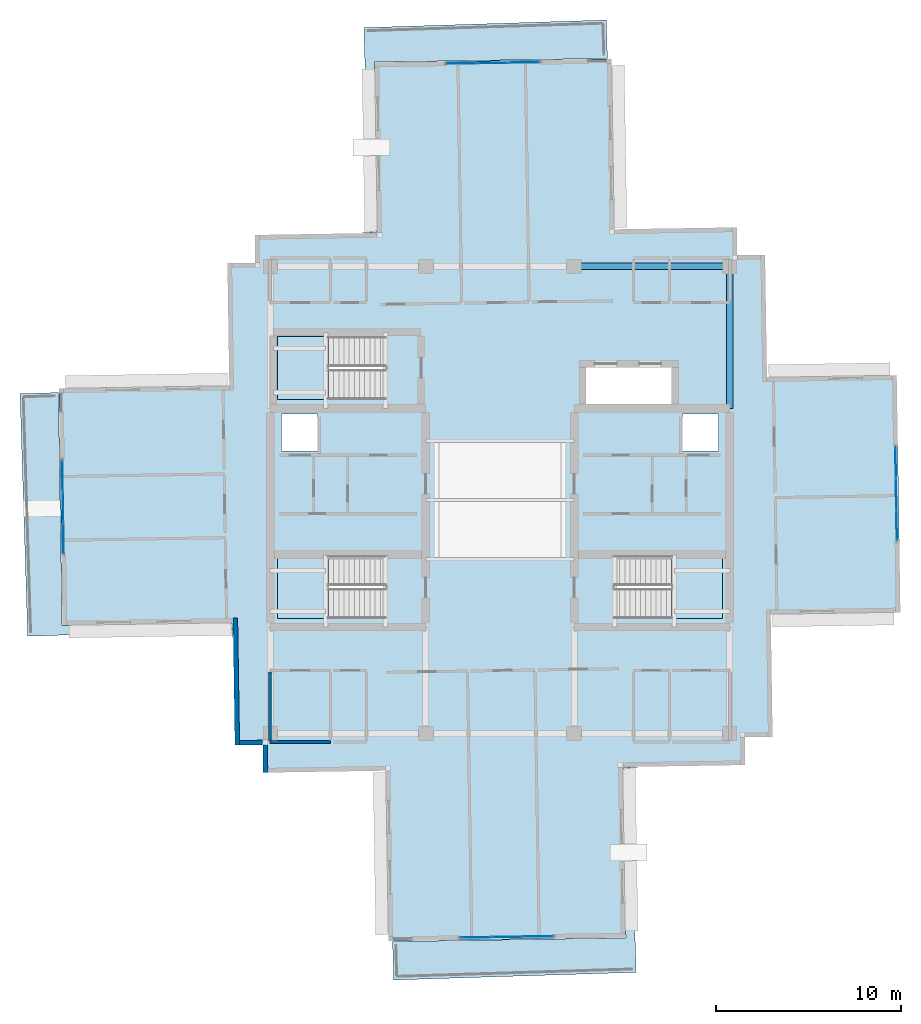
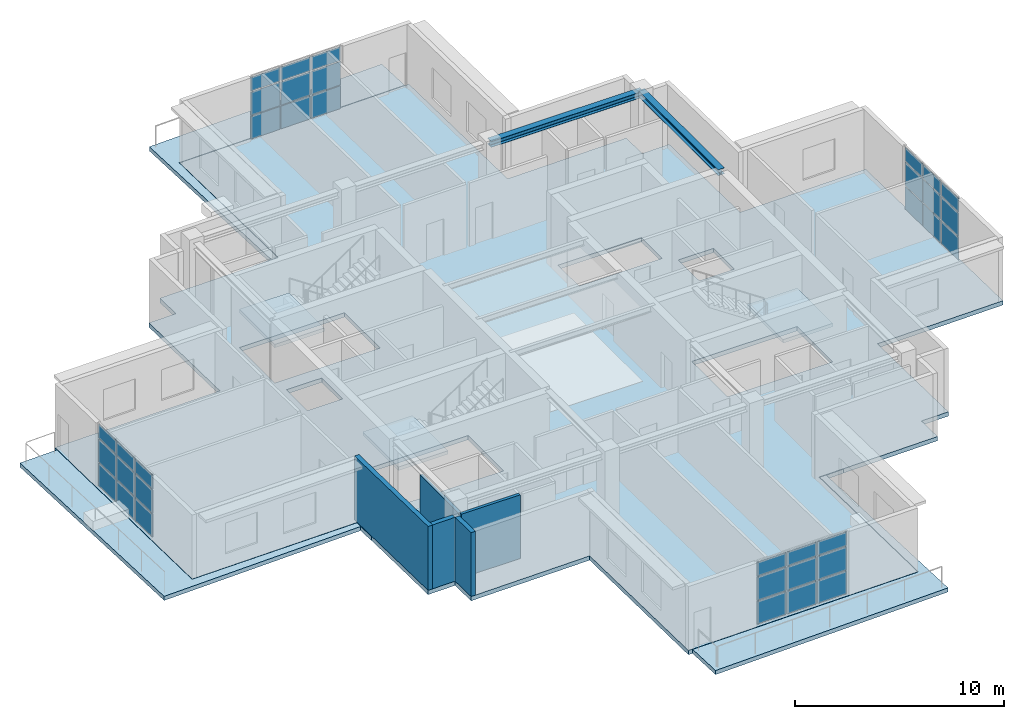
# One storey, part 9 of 18: 36 plates, 7 slabs, 5 walls, 2 beams, 7 elements without a shape of their own.
"""IFC4 building model written with IfcOpenShell, lengths in metres."""

from ifc_helpers import new_model, si_unit, direction, frame, frame_2d, origin, origin_2d, place, context, subcontext, project, spatial, polyline, rectangle, i_section, outline, extrude, material, layer, layer_set, material_profile, profile_set, type_object, element, aggregate, save


model = new_model("IFC4")

# Units and contexts
model_context = context("Model", 3, precision=1e-05, world=origin(), true_north=direction((0.0, 1.0)))
body_context = subcontext(model_context, "Body", "Model", "MODEL_VIEW")
ifc_project = project(units=[si_unit("LENGTHUNIT", "METRE"), si_unit("AREAUNIT", "SQUARE_METRE"), si_unit("VOLUMEUNIT", "CUBIC_METRE"), si_unit("PLANEANGLEUNIT", "RADIAN"), si_unit("MASSUNIT", "GRAM", prefix="KILO")], contexts=[model_context])

# Site, building, storey
site_placement = place(None, origin())
site = spatial("IfcSite", under=ifc_project, at=site_placement, CompositionType="ELEMENT")
building_placement = place(site_placement, origin())
building = spatial("IfcBuilding", under=site, at=building_placement, Name="Qingluan Cross Belvedere", CompositionType="ELEMENT")
storey_placement = place(building_placement, frame((0.0, 0.0, 303.89990234375)))
storey = spatial("IfcBuildingStorey", under=building, at=storey_placement, Name="L75", CompositionType="ELEMENT", Elevation=303.89990234375)

# Beams
ifc_material_1 = material(Name="Steel Q420GJB", Category="steel")
ifc_material_profile = material_profile(ifc_material_1, i_section(OverallWidth=0.35009765625, OverallDepth=0.35009765625, WebThickness=0.011962890625, FlangeThickness=0.01904296875, FilletRadius=0.02001953125, at=origin_2d()), Name="HW350x350x12x19")
ifc_profile_set = profile_set([ifc_material_profile], Name="Steel Q420GJB")
beam_type = type_object("IfcBeamType", Name="Steel_Girder_HW350x350x12x19", PredefinedType="USERDEFINED", material=ifc_profile_set)
beam_1_placement = place(storey_placement, frame((4.0, 12.60009765625, 4.0751953125), z_axis=(1.0, 0.0, 0.0), x_axis=(0.0, 1.0, 0.0)))
element("IfcBeam", 1, at=beam_1_placement, inside=storey, type_object=beam_type, Name="Hub girder L75-HG-N3", ObjectType="GIRDER", PredefinedType="USERDEFINED", context=body_context, shape_type="SweptSolid", body=[
    extrude(i_section(OverallWidth=0.35009765625, OverallDepth=0.35009765625, WebThickness=0.011962890625, FlangeThickness=0.01904296875, FilletRadius=0.02001953125, at=origin_2d()), origin(), (0.0, 0.0, 1.0), 8.39990234375),
])
beam_2_placement = place(storey_placement, frame((12.39990234375, 4.949951171875, 4.0751953125), z_axis=(0.0, 1.0, 0.0), x_axis=(-1.0, 0.0, 0.0)))
element("IfcBeam", 2, at=beam_2_placement, inside=storey, type_object=beam_type, Name="Hub girder L75-HG-E2", ObjectType="GIRDER", PredefinedType="USERDEFINED", context=body_context, shape_type="SweptSolid", body=[
    extrude(i_section(OverallWidth=0.35009765625, OverallDepth=0.35009765625, WebThickness=0.011962890625, FlangeThickness=0.01904296875, FilletRadius=0.02001953125, at=origin_2d()), origin(), (0.0, 0.0, 1.0), 7.650146484375),
])

# Curtain wall, plates
ifc_material_2 = material(Name="Thermally broken aluminium and Low-E glass", Category="aluminium")
ifc_layer_1 = layer(ifc_material_2, 0.199951171875, Name="ObservationCW_SkyRestaurant")
ifc_layer_set_1 = layer_set([ifc_layer_1], Name="Thermally broken aluminium and Low-E glass")
curtain_wall_type = type_object("IfcCurtainWallType", Name="ObservationCW_SkyRestaurant", PredefinedType="USERDEFINED", material=ifc_layer_set_1)
curtain_wall_1_placement = place(storey_placement, origin())
curtain_wall_1 = element("IfcCurtainWall", 3, at=curtain_wall_1_placement, inside=storey, type_object=curtain_wall_type, Name="ObservationCW_SkyRestaurant run env:cw:L75:E", ObjectType="OBSERVATION GLAZING WALL", PredefinedType="USERDEFINED")
ifc_material_3 = material(Name="Triple-silver Low-E insulated glass", Category="glass")
ifc_layer_2 = layer(ifc_material_3, 0.035888671875, Name="CWVisionPanel_36")
ifc_layer_set_2 = layer_set([ifc_layer_2], Name="Triple-silver Low-E insulated glass")
plate_type = type_object("IfcPlateType", Name="CWVisionPanel_36", PredefinedType="CURTAIN_PANEL", material=ifc_layer_set_2)
plate_1_placement = place(storey_placement, frame((21.40380859375, -1.354248046875, 0.06005859375), z_axis=(0.0, 0.0, 1.0), x_axis=(-0.015695763417, 0.999876813918, 0.0)))
plate_1 = element("IfcPlate", 4, at=plate_1_placement, type_object=plate_type, Name="CW-C2 panel 1.1", PredefinedType="CURTAIN_PANEL", context=body_context, shape_type="SweptSolid", body=[
    extrude(rectangle(XDim=1.615234375, YDim=0.028076171875, at=origin_2d()), origin(), (0.0, 0.0, 1.0), 1.326904296875),
])
plate_2_placement = place(storey_placement, frame((21.40380859375, -1.354248046875, 1.447021484375), z_axis=(0.0, 0.0, 1.0), x_axis=(-0.015695763417, 0.999876813918, 0.0)))
plate_2 = element("IfcPlate", 5, at=plate_2_placement, type_object=plate_type, Name="CW-C2 panel 1.2", PredefinedType="CURTAIN_PANEL", context=body_context, shape_type="SweptSolid", body=[
    extrude(rectangle(XDim=1.615234375, YDim=0.028076171875, at=origin_2d()), origin(), (0.0, 0.0, 1.0), 1.35791015625),
])
plate_3_placement = place(storey_placement, frame((21.40380859375, -1.354248046875, 2.865234375), z_axis=(0.0, 0.0, 1.0), x_axis=(-0.015695763417, 0.999876813918, 0.0)))
plate_3 = element("IfcPlate", 6, at=plate_3_placement, type_object=plate_type, Name="CW-C2 panel 1.3", PredefinedType="CURTAIN_PANEL", context=body_context, shape_type="SweptSolid", body=[
    extrude(rectangle(XDim=1.615234375, YDim=0.028076171875, at=origin_2d()), origin(), (0.0, 0.0, 1.0), 0.804931640625),
])
plate_4_placement = place(storey_placement, frame((21.37744140625, 0.335693359375, 0.06005859375), z_axis=(0.0, 0.0, 1.0), x_axis=(-0.015695763417, 0.999876813918, 0.0)))
plate_4 = element("IfcPlate", 7, at=plate_4_placement, type_object=plate_type, Name="CW-C2 panel 2.1", PredefinedType="CURTAIN_PANEL", context=body_context, shape_type="SweptSolid", body=[
    extrude(rectangle(XDim=1.645263671875, YDim=0.028076171875, at=origin_2d()), origin(), (0.0, 0.0, 1.0), 1.326904296875),
])
plate_5_placement = place(storey_placement, frame((21.37744140625, 0.335693359375, 1.447021484375), z_axis=(0.0, 0.0, 1.0), x_axis=(-0.015695763417, 0.999876813918, 0.0)))
plate_5 = element("IfcPlate", 8, at=plate_5_placement, type_object=plate_type, Name="CW-C2 panel 2.2", PredefinedType="CURTAIN_PANEL", context=body_context, shape_type="SweptSolid", body=[
    extrude(rectangle(XDim=1.645263671875, YDim=0.028076171875, at=origin_2d()), origin(), (0.0, 0.0, 1.0), 1.35791015625),
])
plate_6_placement = place(storey_placement, frame((21.37744140625, 0.335693359375, 2.865234375), z_axis=(0.0, 0.0, 1.0), x_axis=(-0.015695763417, 0.999876813918, 0.0)))
plate_6 = element("IfcPlate", 9, at=plate_6_placement, type_object=plate_type, Name="CW-C2 panel 2.3", PredefinedType="CURTAIN_PANEL", context=body_context, shape_type="SweptSolid", body=[
    extrude(rectangle(XDim=1.645263671875, YDim=0.028076171875, at=origin_2d()), origin(), (0.0, 0.0, 1.0), 0.804931640625),
])
plate_7_placement = place(storey_placement, frame((21.350830078125, 2.02587890625, 0.06005859375), z_axis=(0.0, 0.0, 1.0), x_axis=(-0.015695763417, 0.999876813918, 0.0)))
plate_7 = element("IfcPlate", 10, at=plate_7_placement, type_object=plate_type, Name="CW-C2 panel 3.1", PredefinedType="CURTAIN_PANEL", context=body_context, shape_type="SweptSolid", body=[
    extrude(rectangle(XDim=1.615234375, YDim=0.028076171875, at=origin_2d()), origin(), (0.0, 0.0, 1.0), 1.326904296875),
])
plate_8_placement = place(storey_placement, frame((21.350830078125, 2.02587890625, 1.447021484375), z_axis=(0.0, 0.0, 1.0), x_axis=(-0.015695763417, 0.999876813918, 0.0)))
plate_8 = element("IfcPlate", 11, at=plate_8_placement, type_object=plate_type, Name="CW-C2 panel 3.2", PredefinedType="CURTAIN_PANEL", context=body_context, shape_type="SweptSolid", body=[
    extrude(rectangle(XDim=1.615234375, YDim=0.028076171875, at=origin_2d()), origin(), (0.0, 0.0, 1.0), 1.35791015625),
])
plate_9_placement = place(storey_placement, frame((21.350830078125, 2.02587890625, 2.865234375), z_axis=(0.0, 0.0, 1.0), x_axis=(-0.015695763417, 0.999876813918, 0.0)))
plate_9 = element("IfcPlate", 12, at=plate_9_placement, type_object=plate_type, Name="CW-C2 panel 3.3", PredefinedType="CURTAIN_PANEL", context=body_context, shape_type="SweptSolid", body=[
    extrude(rectangle(XDim=1.615234375, YDim=0.028076171875, at=origin_2d()), origin(), (0.0, 0.0, 1.0), 0.804931640625),
])
aggregate(curtain_wall_1, [plate_1, plate_2, plate_3, plate_4, plate_5, plate_6, plate_7, plate_8, plate_9])

curtain_wall_2_placement = place(storey_placement, origin())
curtain_wall_2 = element("IfcCurtainWall", 13, at=curtain_wall_2_placement, inside=storey, type_object=curtain_wall_type, Name="ObservationCW_SkyRestaurant run env:cw:L75:N", ObjectType="OBSERVATION GLAZING WALL", PredefinedType="USERDEFINED")
plate_10_placement = place(storey_placement, frame((1.31982421875, 23.603515625, 0.06005859375), z_axis=(0.0, 0.0, 1.0), x_axis=(-0.999876813918, -0.015695763417, 0.0)))
plate_10 = element("IfcPlate", 14, at=plate_10_placement, type_object=plate_type, Name="CW-C2 panel 1.1", PredefinedType="CURTAIN_PANEL", context=body_context, shape_type="SweptSolid", body=[
    extrude(rectangle(XDim=1.615234375, YDim=0.028076171875, at=origin_2d()), origin(), (0.0, 0.0, 1.0), 1.326904296875),
])
plate_11_placement = place(storey_placement, frame((1.31982421875, 23.603515625, 1.447021484375), z_axis=(0.0, 0.0, 1.0), x_axis=(-0.999876813918, -0.015695763417, 0.0)))
plate_11 = element("IfcPlate", 15, at=plate_11_placement, type_object=plate_type, Name="CW-C2 panel 1.2", PredefinedType="CURTAIN_PANEL", context=body_context, shape_type="SweptSolid", body=[
    extrude(rectangle(XDim=1.615234375, YDim=0.028076171875, at=origin_2d()), origin(), (0.0, 0.0, 1.0), 1.35791015625),
])
plate_12_placement = place(storey_placement, frame((1.31982421875, 23.603515625, 2.865234375), z_axis=(0.0, 0.0, 1.0), x_axis=(-0.999876813918, -0.015695763417, 0.0)))
plate_12 = element("IfcPlate", 16, at=plate_12_placement, type_object=plate_type, Name="CW-C2 panel 1.3", PredefinedType="CURTAIN_PANEL", context=body_context, shape_type="SweptSolid", body=[
    extrude(rectangle(XDim=1.615234375, YDim=0.028076171875, at=origin_2d()), origin(), (0.0, 0.0, 1.0), 0.804931640625),
])
plate_13_placement = place(storey_placement, frame((-0.370361328125, 23.5771484375, 0.06005859375), z_axis=(0.0, 0.0, 1.0), x_axis=(-0.999876813918, -0.015695763417, 0.0)))
plate_13 = element("IfcPlate", 17, at=plate_13_placement, type_object=plate_type, Name="CW-C2 panel 2.1", PredefinedType="CURTAIN_PANEL", context=body_context, shape_type="SweptSolid", body=[
    extrude(rectangle(XDim=1.645263671875, YDim=0.028076171875, at=origin_2d()), origin(), (0.0, 0.0, 1.0), 1.326904296875),
])
plate_14_placement = place(storey_placement, frame((-0.370361328125, 23.5771484375, 1.447021484375), z_axis=(0.0, 0.0, 1.0), x_axis=(-0.999876813918, -0.015695763417, 0.0)))
plate_14 = element("IfcPlate", 18, at=plate_14_placement, type_object=plate_type, Name="CW-C2 panel 2.2", PredefinedType="CURTAIN_PANEL", context=body_context, shape_type="SweptSolid", body=[
    extrude(rectangle(XDim=1.645263671875, YDim=0.028076171875, at=origin_2d()), origin(), (0.0, 0.0, 1.0), 1.35791015625),
])
plate_15_placement = place(storey_placement, frame((-0.370361328125, 23.5771484375, 2.865234375), z_axis=(0.0, 0.0, 1.0), x_axis=(-0.999876813918, -0.015695763417, 0.0)))
plate_15 = element("IfcPlate", 19, at=plate_15_placement, type_object=plate_type, Name="CW-C2 panel 2.3", PredefinedType="CURTAIN_PANEL", context=body_context, shape_type="SweptSolid", body=[
    extrude(rectangle(XDim=1.645263671875, YDim=0.028076171875, at=origin_2d()), origin(), (0.0, 0.0, 1.0), 0.804931640625),
])
plate_16_placement = place(storey_placement, frame((-2.060546875, 23.550537109375, 0.06005859375), z_axis=(0.0, 0.0, 1.0), x_axis=(-0.999876813918, -0.015695763417, 0.0)))
plate_16 = element("IfcPlate", 20, at=plate_16_placement, type_object=plate_type, Name="CW-C2 panel 3.1", PredefinedType="CURTAIN_PANEL", context=body_context, shape_type="SweptSolid", body=[
    extrude(rectangle(XDim=1.615234375, YDim=0.028076171875, at=origin_2d()), origin(), (0.0, 0.0, 1.0), 1.326904296875),
])
plate_17_placement = place(storey_placement, frame((-2.060546875, 23.550537109375, 1.447021484375), z_axis=(0.0, 0.0, 1.0), x_axis=(-0.999876813918, -0.015695763417, 0.0)))
plate_17 = element("IfcPlate", 21, at=plate_17_placement, type_object=plate_type, Name="CW-C2 panel 3.2", PredefinedType="CURTAIN_PANEL", context=body_context, shape_type="SweptSolid", body=[
    extrude(rectangle(XDim=1.615234375, YDim=0.028076171875, at=origin_2d()), origin(), (0.0, 0.0, 1.0), 1.35791015625),
])
plate_18_placement = place(storey_placement, frame((-2.060546875, 23.550537109375, 2.865234375), z_axis=(0.0, 0.0, 1.0), x_axis=(-0.999876813918, -0.015695763417, 0.0)))
plate_18 = element("IfcPlate", 22, at=plate_18_placement, type_object=plate_type, Name="CW-C2 panel 3.3", PredefinedType="CURTAIN_PANEL", context=body_context, shape_type="SweptSolid", body=[
    extrude(rectangle(XDim=1.615234375, YDim=0.028076171875, at=origin_2d()), origin(), (0.0, 0.0, 1.0), 0.804931640625),
])
aggregate(curtain_wall_2, [plate_10, plate_11, plate_12, plate_13, plate_14, plate_15, plate_16, plate_17, plate_18])

curtain_wall_3_placement = place(storey_placement, origin())
curtain_wall_3 = element("IfcCurtainWall", 23, at=curtain_wall_3_placement, inside=storey, type_object=curtain_wall_type, Name="ObservationCW_SkyRestaurant run env:cw:L75:W", ObjectType="OBSERVATION GLAZING WALL", PredefinedType="USERDEFINED")
plate_19_placement = place(storey_placement, frame((-23.603515625, 1.31982421875, 0.06005859375), z_axis=(0.0, 0.0, 1.0), x_axis=(0.015695763417, -0.999876813918, 0.0)))
plate_19 = element("IfcPlate", 24, at=plate_19_placement, type_object=plate_type, Name="CW-C2 panel 1.1", PredefinedType="CURTAIN_PANEL", context=body_context, shape_type="SweptSolid", body=[
    extrude(rectangle(XDim=1.615234375, YDim=0.028076171875, at=origin_2d()), origin(), (0.0, 0.0, 1.0), 1.326904296875),
])
plate_20_placement = place(storey_placement, frame((-23.603515625, 1.31982421875, 1.447021484375), z_axis=(0.0, 0.0, 1.0), x_axis=(0.015695763417, -0.999876813918, 0.0)))
plate_20 = element("IfcPlate", 25, at=plate_20_placement, type_object=plate_type, Name="CW-C2 panel 1.2", PredefinedType="CURTAIN_PANEL", context=body_context, shape_type="SweptSolid", body=[
    extrude(rectangle(XDim=1.615234375, YDim=0.028076171875, at=origin_2d()), origin(), (0.0, 0.0, 1.0), 1.35791015625),
])
plate_21_placement = place(storey_placement, frame((-23.603515625, 1.31982421875, 2.865234375), z_axis=(0.0, 0.0, 1.0), x_axis=(0.015695763417, -0.999876813918, 0.0)))
plate_21 = element("IfcPlate", 26, at=plate_21_placement, type_object=plate_type, Name="CW-C2 panel 1.3", PredefinedType="CURTAIN_PANEL", context=body_context, shape_type="SweptSolid", body=[
    extrude(rectangle(XDim=1.615234375, YDim=0.028076171875, at=origin_2d()), origin(), (0.0, 0.0, 1.0), 0.804931640625),
])
plate_22_placement = place(storey_placement, frame((-23.5771484375, -0.370361328125, 0.06005859375), z_axis=(0.0, 0.0, 1.0), x_axis=(0.015695763417, -0.999876813918, 0.0)))
plate_22 = element("IfcPlate", 27, at=plate_22_placement, type_object=plate_type, Name="CW-C2 panel 2.1", PredefinedType="CURTAIN_PANEL", context=body_context, shape_type="SweptSolid", body=[
    extrude(rectangle(XDim=1.645263671875, YDim=0.028076171875, at=origin_2d()), origin(), (0.0, 0.0, 1.0), 1.326904296875),
])
plate_23_placement = place(storey_placement, frame((-23.5771484375, -0.370361328125, 1.447021484375), z_axis=(0.0, 0.0, 1.0), x_axis=(0.015695763417, -0.999876813918, 0.0)))
plate_23 = element("IfcPlate", 28, at=plate_23_placement, type_object=plate_type, Name="CW-C2 panel 2.2", PredefinedType="CURTAIN_PANEL", context=body_context, shape_type="SweptSolid", body=[
    extrude(rectangle(XDim=1.645263671875, YDim=0.028076171875, at=origin_2d()), origin(), (0.0, 0.0, 1.0), 1.35791015625),
])
plate_24_placement = place(storey_placement, frame((-23.5771484375, -0.370361328125, 2.865234375), z_axis=(0.0, 0.0, 1.0), x_axis=(0.015695763417, -0.999876813918, 0.0)))
plate_24 = element("IfcPlate", 29, at=plate_24_placement, type_object=plate_type, Name="CW-C2 panel 2.3", PredefinedType="CURTAIN_PANEL", context=body_context, shape_type="SweptSolid", body=[
    extrude(rectangle(XDim=1.645263671875, YDim=0.028076171875, at=origin_2d()), origin(), (0.0, 0.0, 1.0), 0.804931640625),
])
plate_25_placement = place(storey_placement, frame((-23.550537109375, -2.060546875, 0.06005859375), z_axis=(0.0, 0.0, 1.0), x_axis=(0.015695763417, -0.999876813918, 0.0)))
plate_25 = element("IfcPlate", 30, at=plate_25_placement, type_object=plate_type, Name="CW-C2 panel 3.1", PredefinedType="CURTAIN_PANEL", context=body_context, shape_type="SweptSolid", body=[
    extrude(rectangle(XDim=1.615234375, YDim=0.028076171875, at=origin_2d()), origin(), (0.0, 0.0, 1.0), 1.326904296875),
])
plate_26_placement = place(storey_placement, frame((-23.550537109375, -2.060546875, 1.447021484375), z_axis=(0.0, 0.0, 1.0), x_axis=(0.015695763417, -0.999876813918, 0.0)))
plate_26 = element("IfcPlate", 31, at=plate_26_placement, type_object=plate_type, Name="CW-C2 panel 3.2", PredefinedType="CURTAIN_PANEL", context=body_context, shape_type="SweptSolid", body=[
    extrude(rectangle(XDim=1.615234375, YDim=0.028076171875, at=origin_2d()), origin(), (0.0, 0.0, 1.0), 1.35791015625),
])
plate_27_placement = place(storey_placement, frame((-23.550537109375, -2.060546875, 2.865234375), z_axis=(0.0, 0.0, 1.0), x_axis=(0.015695763417, -0.999876813918, 0.0)))
plate_27 = element("IfcPlate", 32, at=plate_27_placement, type_object=plate_type, Name="CW-C2 panel 3.3", PredefinedType="CURTAIN_PANEL", context=body_context, shape_type="SweptSolid", body=[
    extrude(rectangle(XDim=1.615234375, YDim=0.028076171875, at=origin_2d()), origin(), (0.0, 0.0, 1.0), 0.804931640625),
])
aggregate(curtain_wall_3, [plate_19, plate_20, plate_21, plate_22, plate_23, plate_24, plate_25, plate_26, plate_27])

curtain_wall_4_placement = place(storey_placement, origin())
curtain_wall_4 = element("IfcCurtainWall", 33, at=curtain_wall_4_placement, inside=storey, type_object=curtain_wall_type, Name="ObservationCW_SkyRestaurant run env:cw:L75:S", ObjectType="OBSERVATION GLAZING WALL", PredefinedType="USERDEFINED")
plate_28_placement = place(storey_placement, frame((-1.31982421875, -23.603515625, 0.06005859375), z_axis=(0.0, 0.0, 1.0), x_axis=(0.999876813918, 0.015695763417, 0.0)))
plate_28 = element("IfcPlate", 34, at=plate_28_placement, type_object=plate_type, Name="CW-C2 panel 1.1", PredefinedType="CURTAIN_PANEL", context=body_context, shape_type="SweptSolid", body=[
    extrude(rectangle(XDim=1.615234375, YDim=0.028076171875, at=origin_2d()), origin(), (0.0, 0.0, 1.0), 1.326904296875),
])
plate_29_placement = place(storey_placement, frame((-1.31982421875, -23.603515625, 1.447021484375), z_axis=(0.0, 0.0, 1.0), x_axis=(0.999876813918, 0.015695763417, 0.0)))
plate_29 = element("IfcPlate", 35, at=plate_29_placement, type_object=plate_type, Name="CW-C2 panel 1.2", PredefinedType="CURTAIN_PANEL", context=body_context, shape_type="SweptSolid", body=[
    extrude(rectangle(XDim=1.615234375, YDim=0.028076171875, at=origin_2d()), origin(), (0.0, 0.0, 1.0), 1.35791015625),
])
plate_30_placement = place(storey_placement, frame((-1.31982421875, -23.603515625, 2.865234375), z_axis=(0.0, 0.0, 1.0), x_axis=(0.999876813918, 0.015695763417, 0.0)))
plate_30 = element("IfcPlate", 36, at=plate_30_placement, type_object=plate_type, Name="CW-C2 panel 1.3", PredefinedType="CURTAIN_PANEL", context=body_context, shape_type="SweptSolid", body=[
    extrude(rectangle(XDim=1.615234375, YDim=0.028076171875, at=origin_2d()), origin(), (0.0, 0.0, 1.0), 0.804931640625),
])
plate_31_placement = place(storey_placement, frame((0.370361328125, -23.5771484375, 0.06005859375), z_axis=(0.0, 0.0, 1.0), x_axis=(0.999876813918, 0.015695763417, 0.0)))
plate_31 = element("IfcPlate", 37, at=plate_31_placement, type_object=plate_type, Name="CW-C2 panel 2.1", PredefinedType="CURTAIN_PANEL", context=body_context, shape_type="SweptSolid", body=[
    extrude(rectangle(XDim=1.645263671875, YDim=0.028076171875, at=origin_2d()), origin(), (0.0, 0.0, 1.0), 1.326904296875),
])
plate_32_placement = place(storey_placement, frame((0.370361328125, -23.5771484375, 1.447021484375), z_axis=(0.0, 0.0, 1.0), x_axis=(0.999876813918, 0.015695763417, 0.0)))
plate_32 = element("IfcPlate", 38, at=plate_32_placement, type_object=plate_type, Name="CW-C2 panel 2.2", PredefinedType="CURTAIN_PANEL", context=body_context, shape_type="SweptSolid", body=[
    extrude(rectangle(XDim=1.645263671875, YDim=0.028076171875, at=origin_2d()), origin(), (0.0, 0.0, 1.0), 1.35791015625),
])
plate_33_placement = place(storey_placement, frame((0.370361328125, -23.5771484375, 2.865234375), z_axis=(0.0, 0.0, 1.0), x_axis=(0.999876813918, 0.015695763417, 0.0)))
plate_33 = element("IfcPlate", 39, at=plate_33_placement, type_object=plate_type, Name="CW-C2 panel 2.3", PredefinedType="CURTAIN_PANEL", context=body_context, shape_type="SweptSolid", body=[
    extrude(rectangle(XDim=1.645263671875, YDim=0.028076171875, at=origin_2d()), origin(), (0.0, 0.0, 1.0), 0.804931640625),
])
plate_34_placement = place(storey_placement, frame((2.060546875, -23.550537109375, 0.06005859375), z_axis=(0.0, 0.0, 1.0), x_axis=(0.999876813918, 0.015695763417, 0.0)))
plate_34 = element("IfcPlate", 40, at=plate_34_placement, type_object=plate_type, Name="CW-C2 panel 3.1", PredefinedType="CURTAIN_PANEL", context=body_context, shape_type="SweptSolid", body=[
    extrude(rectangle(XDim=1.615234375, YDim=0.028076171875, at=origin_2d()), origin(), (0.0, 0.0, 1.0), 1.326904296875),
])
plate_35_placement = place(storey_placement, frame((2.060546875, -23.550537109375, 1.447021484375), z_axis=(0.0, 0.0, 1.0), x_axis=(0.999876813918, 0.015695763417, 0.0)))
plate_35 = element("IfcPlate", 41, at=plate_35_placement, type_object=plate_type, Name="CW-C2 panel 3.2", PredefinedType="CURTAIN_PANEL", context=body_context, shape_type="SweptSolid", body=[
    extrude(rectangle(XDim=1.615234375, YDim=0.028076171875, at=origin_2d()), origin(), (0.0, 0.0, 1.0), 1.35791015625),
])
plate_36_placement = place(storey_placement, frame((2.060546875, -23.550537109375, 2.865234375), z_axis=(0.0, 0.0, 1.0), x_axis=(0.999876813918, 0.015695763417, 0.0)))
plate_36 = element("IfcPlate", 42, at=plate_36_placement, type_object=plate_type, Name="CW-C2 panel 3.3", PredefinedType="CURTAIN_PANEL", context=body_context, shape_type="SweptSolid", body=[
    extrude(rectangle(XDim=1.615234375, YDim=0.028076171875, at=origin_2d()), origin(), (0.0, 0.0, 1.0), 0.804931640625),
])
aggregate(curtain_wall_4, [plate_28, plate_29, plate_30, plate_31, plate_32, plate_33, plate_34, plate_35, plate_36])

# Slabs
ifc_material_4 = material(Name="Concrete C40", Category="concrete")
ifc_layer_3 = layer(ifc_material_4, 0.239990234375, Name="CrownRoofSlab_240")
ifc_layer_set_3 = layer_set([ifc_layer_3], Name="Concrete C40")
slab_type_1 = type_object("IfcSlabType", Name="CrownRoofSlab_240", PredefinedType="ROOF", material=ifc_layer_set_3)
slab_1_placement = place(storey_placement, frame((0.0, 0.0, -0.239990234375)))
element("IfcSlab", 43, at=slab_1_placement, inside=storey, type_object=slab_type_1, Name="Stepped crown terrace L75-1", PredefinedType="ROOF", context=body_context, shape_type="SweptSolid", body=[
    extrude(outline(polyline([(-7.001708984375, 14.43212890625), (-7.98095703125, 14.4013671875), (-6.642333984375, 14.42236328125), (-6.77783203125, 23.6181640625), (5.7998046875, 23.819091796875), (5.734375, 25.89794921875), (-7.34912109375, 25.48681640625), (-7.001708984375, 14.43212890625)])), origin(), (0.0, 0.0, 1.0), 0.239990234375),
])
slab_2_placement = place(storey_placement, frame((0.0, 0.0, -0.239990234375)))
element("IfcSlab", 44, at=slab_2_placement, inside=storey, type_object=slab_type_1, Name="Stepped crown terrace L75-2", PredefinedType="ROOF", context=body_context, shape_type="SweptSolid", body=[
    extrude(outline(polyline([(-14.43212890625, -7.001708984375), (-14.4013671875, -7.98095703125), (-14.42236328125, -6.642333984375), (-23.6181640625, -6.77783203125), (-23.819091796875, 5.7998046875), (-25.89794921875, 5.734375), (-25.48681640625, -7.34912109375), (-14.43212890625, -7.001708984375)])), origin(), (0.0, 0.0, 1.0), 0.239990234375),
])
slab_3_placement = place(storey_placement, frame((0.0, 0.0, -0.239990234375)))
element("IfcSlab", 45, at=slab_3_placement, inside=storey, type_object=slab_type_1, Name="Stepped crown terrace L75-3", PredefinedType="ROOF", context=body_context, shape_type="SweptSolid", body=[
    extrude(outline(polyline([(-5.7998046875, -23.819091796875), (-5.734375, -25.89794921875), (7.34912109375, -25.48681640625), (7.001708984375, -14.43212890625), (7.98095703125, -14.4013671875), (6.642333984375, -14.42236328125), (6.78662109375, -23.601318359375), (6.766845703125, -23.62158203125), (-5.7998046875, -23.819091796875)])), origin(), (0.0, 0.0, 1.0), 0.239990234375),
])
ifc_material_5 = material(Name="Concrete C40", Category="concrete")
ifc_layer_4 = layer(ifc_material_5, 0.25, Name="FloorSlab_250")
ifc_layer_set_4 = layer_set([ifc_layer_4], Name="Concrete C40")
slab_type_2 = type_object("IfcSlabType", Name="FloorSlab_250", PredefinedType="FLOOR", material=ifc_layer_set_4)
slab_4_placement = place(storey_placement, frame((0.0, 0.0, -0.25)))
element("IfcSlab", 46, at=slab_4_placement, inside=storey, type_object=slab_type_2, Name="Structural floor slab L75", PredefinedType="FLOOR", context=body_context, shape_type="SweptSolid", body=[
    extrude(outline(polyline([(6.7666015625, -23.6015625), (6.6220703125, -14.40283203125), (13.231201171875, -14.298828125), (13.207763671875, -12.799072265625), (14.70751953125, -12.775634765625), (14.603759765625, -6.16650390625), (21.602783203125, -6.056396484375), (21.40185546875, 6.73193359375), (14.40283203125, 6.6220703125), (14.298828125, 13.231201171875), (12.799072265625, 13.207763671875), (12.775634765625, 14.70751953125), (6.16650390625, 14.603759765625), (6.02197265625, 23.802490234375), (-6.7666015625, 23.6015625), (-6.6220703125, 14.40283203125), (-13.231201171875, 14.298828125), (-13.207763671875, 12.799072265625), (-14.70751953125, 12.775634765625), (-14.603759765625, 6.16650390625), (-23.802490234375, 6.02197265625), (-23.6015625, -6.7666015625), (-14.40283203125, -6.6220703125), (-14.298828125, -13.231201171875), (-12.799072265625, -13.207763671875), (-12.775634765625, -14.70751953125), (-6.16650390625, -14.603759765625), (-6.02197265625, -23.802490234375), (6.7666015625, -23.6015625)]), holes=[polyline([(-12.0, -3.0), (-6.179931640625, -3.0), (-6.179931640625, -6.39990234375), (-12.0, -6.39990234375), (-12.0, -3.0)]), polyline([(6.179931640625, -3.0), (12.0, -3.0), (12.0, -6.39990234375), (6.179931640625, -6.39990234375), (6.179931640625, -3.0)]), polyline([(-12.0, 8.820068359375), (-6.179931640625, 8.820068359375), (-6.179931640625, 5.419921875), (-12.0, 5.419921875), (-12.0, 8.820068359375)]), polyline([(-11.800048828125, 4.64990234375), (-9.85009765625, 4.64990234375), (-9.85009765625, 2.64990234375), (-11.800048828125, 2.64990234375), (-11.800048828125, 4.64990234375)]), polyline([(9.85009765625, 4.64990234375), (11.800048828125, 4.64990234375), (11.800048828125, 2.64990234375), (9.85009765625, 2.64990234375), (9.85009765625, 4.64990234375)]), polyline([(4.64990234375, 7.14990234375), (9.25, 7.14990234375), (9.25, 5.14990234375), (4.64990234375, 5.14990234375), (4.64990234375, 7.14990234375)])]), origin(), (0.0, 0.0, 1.0), 0.25),
])

# Stair, slab
ifc_material_6 = material(Name="Concrete C40", Category="concrete")
stair_type = type_object("IfcStairType", Name="CoreDoglegStair_1620", PredefinedType="HALF_TURN_STAIR", material=ifc_material_6)
stair_1_placement = place(storey_placement, origin())
stair_1 = element("IfcStair", 47, at=stair_1_placement, inside=storey, type_object=stair_type, Name="L75 ST1", PredefinedType="HALF_TURN_STAIR")
ifc_material_7 = material(Name="Concrete C40", Category="concrete")
ifc_layer_5 = layer(ifc_material_7, 0.179931640625, Name="StairLandingSlab_180")
ifc_layer_set_5 = layer_set([ifc_layer_5], Name="Concrete C40")
slab_type_3 = type_object("IfcSlabType", Name="StairLandingSlab_180", PredefinedType="LANDING", material=ifc_layer_set_5)
slab_5_placement = place(storey_placement, frame((0.0, 0.0, 2.050048828125)))
slab_5 = element("IfcSlab", 48, at=slab_5_placement, type_object=slab_type_3, Name="ST1 landing 1", PredefinedType="LANDING", context=body_context, shape_type="SweptSolid", body=[
    extrude(outline(polyline([(-9.260009765625, -3.0), (-12.0, -3.0), (-12.0, -6.39990234375), (-9.260009765625, -6.39990234375), (-9.260009765625, -3.0)])), origin(), (0.0, 0.0, 1.0), 0.199951171875),
])
aggregate(stair_1, [slab_5])

stair_2_placement = place(storey_placement, origin())
stair_2 = element("IfcStair", 49, at=stair_2_placement, inside=storey, type_object=stair_type, Name="L75 ST2", PredefinedType="HALF_TURN_STAIR")
slab_6_placement = place(storey_placement, frame((0.0, 0.0, 2.050048828125)))
slab_6 = element("IfcSlab", 50, at=slab_6_placement, type_object=slab_type_3, Name="ST2 landing 1", PredefinedType="LANDING", context=body_context, shape_type="SweptSolid", body=[
    extrude(outline(polyline([(9.260009765625, -6.39990234375), (12.0, -6.39990234375), (12.0, -3.0), (9.260009765625, -3.0), (9.260009765625, -6.39990234375)])), origin(), (0.0, 0.0, 1.0), 0.199951171875),
])
aggregate(stair_2, [slab_6])

stair_3_placement = place(storey_placement, origin())
stair_3 = element("IfcStair", 51, at=stair_3_placement, inside=storey, type_object=stair_type, Name="L75 ST3", PredefinedType="HALF_TURN_STAIR")
slab_7_placement = place(storey_placement, frame((0.0, 0.0, 2.050048828125)))
slab_7 = element("IfcSlab", 52, at=slab_7_placement, type_object=slab_type_3, Name="ST3 landing 1", PredefinedType="LANDING", context=body_context, shape_type="SweptSolid", body=[
    extrude(outline(polyline([(-9.260009765625, 8.820068359375), (-12.0, 8.820068359375), (-12.0, 5.419921875), (-9.260009765625, 5.419921875), (-9.260009765625, 8.820068359375)])), origin(), (0.0, 0.0, 1.0), 0.199951171875),
])
aggregate(stair_3, [slab_7])

# Walls
ifc_material_8 = material(Name="Gypsum plasterboard on steel stud acoustic partition", Category="steel")
ifc_layer_6 = layer(ifc_material_8, 0.159912109375, Name="CorridorPartition_160")
ifc_layer_set_6 = layer_set([ifc_layer_6], Name="Gypsum plasterboard on steel stud acoustic partition")
wall_type_1 = type_object("IfcWallType", Name="CorridorPartition_160", PredefinedType="PARTITIONING", material=ifc_layer_set_6)
wall_1_placement = place(storey_placement, frame((-12.39990234375, -13.050048828125, 0.0), z_axis=(0.0, 0.0, 1.0), x_axis=(1.0, 0.0, 0.0)))
element("IfcWall", 53, at=wall_1_placement, inside=storey, type_object=wall_type_1, Name="Partition L75:crown_sw1:S", PredefinedType="PARTITIONING", context=body_context, shape_type="SweptSolid", body=[
    extrude(rectangle(XDim=3.25, YDim=0.159912109375, at=frame_2d((1.625, 0.0))), origin(), (0.0, 0.0, 1.0), 3.72021484375),
])
wall_2_placement = place(storey_placement, frame((-12.39990234375, -12.965087890625, 0.0), z_axis=(0.0, 0.0, 1.0), x_axis=(0.0, 1.0, 0.0)))
element("IfcWall", 54, at=wall_2_placement, inside=storey, type_object=wall_type_1, Name="Partition L75:crown_sw1:W", PredefinedType="PARTITIONING", context=body_context, shape_type="SweptSolid", body=[
    extrude(rectangle(XDim=3.68017578125, YDim=0.159912109375, at=frame_2d((1.840087890625, 0.0))), origin(), (0.0, 0.0, 1.0), 3.72021484375),
])
ifc_material_9 = material(Name="Precast concrete C45", Category="concrete")
ifc_layer_7 = layer(ifc_material_9, 0.25, Name="PrecastCrownWall_250")
ifc_layer_set_7 = layer_set([ifc_layer_7], Name="Precast concrete C45")
wall_type_2 = type_object("IfcWallType", Name="PrecastCrownWall_250", PredefinedType="STANDARD", material=ifc_layer_set_7)
wall_3_placement = place(storey_placement, frame((-14.28173828125, -6.3701171875, 0.0), z_axis=(0.0, 0.0, 1.0), x_axis=(0.015694809807, -0.999876828887, 0.0)))
element("IfcWall", 55, at=wall_3_placement, inside=storey, type_object=wall_type_2, Name="Corner wall L75-SW1", PredefinedType="STANDARD", context=body_context, shape_type="SweptSolid", body=[
    extrude(rectangle(XDim=6.85986328125, YDim=0.25, at=frame_2d((3.429931640625, 0.0))), origin(), (0.0, 0.0, 1.0), 3.72998046875),
])
wall_4_placement = place(storey_placement, frame((-14.05078125, -13.102294921875, 0.0), z_axis=(0.0, 0.0, 1.0), x_axis=(0.999877904354, 0.015626144237, 0.0)))
element("IfcWall", 56, at=wall_4_placement, inside=storey, type_object=wall_type_2, Name="Corner wall L75-SW2", PredefinedType="STANDARD", context=body_context, shape_type="SweptSolid", body=[
    extrude(rectangle(XDim=1.25, YDim=0.25, at=frame_2d((0.625, 0.0))), origin(), (0.0, 0.0, 1.0), 3.72998046875),
])
wall_5_placement = place(storey_placement, frame((-12.674072265625, -13.205810546875, 0.0), z_axis=(0.0, 0.0, 1.0), x_axis=(0.015625635615, -0.999877912303, 0.0)))
element("IfcWall", 57, at=wall_5_placement, inside=storey, type_object=wall_type_2, Name="Corner wall L75-SW3", PredefinedType="STANDARD", context=body_context, shape_type="SweptSolid", body=[
    extrude(rectangle(XDim=1.5, YDim=0.25, at=frame_2d((0.75, 0.0))), origin(), (0.0, 0.0, 1.0), 3.72998046875),
])

save(model, "model.ifc")
